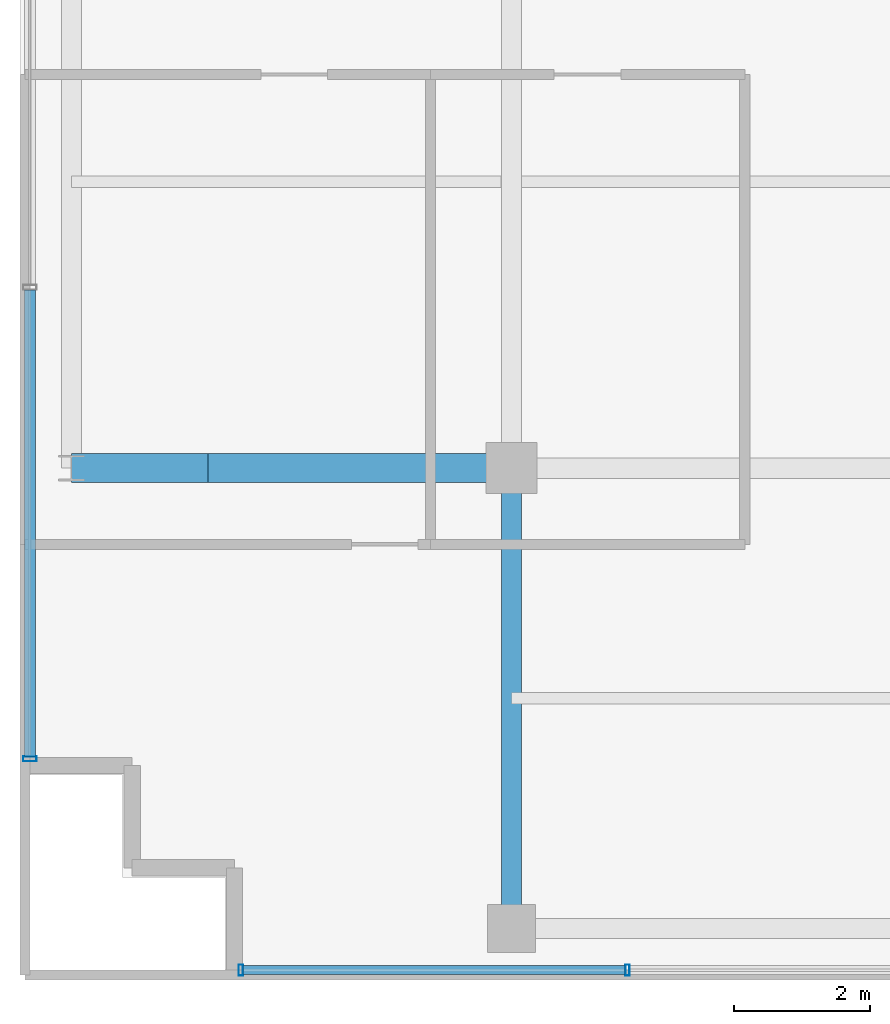
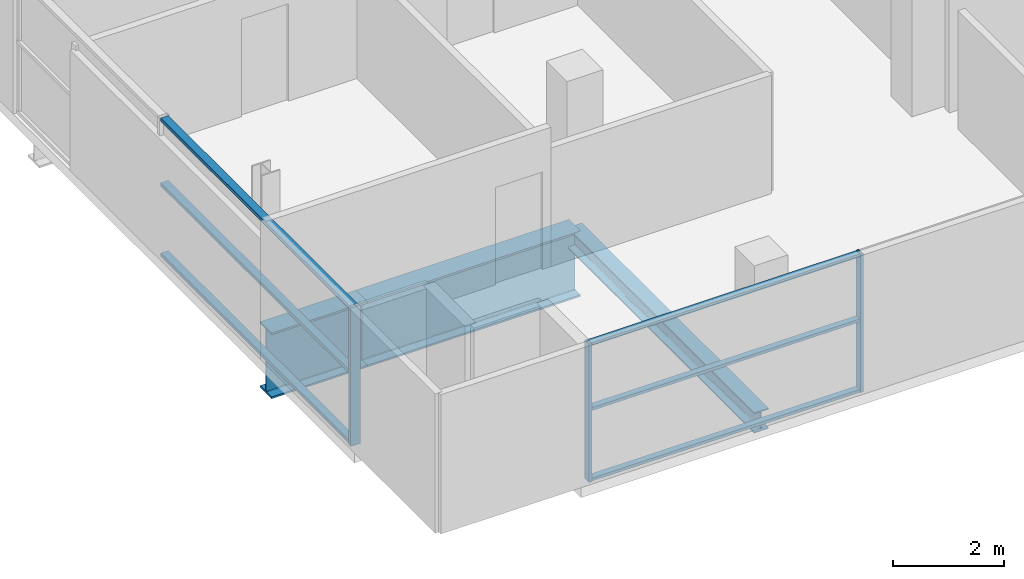
# One storey, part 2 of 29: 9 members, 3 beams, 2 elements without a shape of their own.
"""IFC4 building model written with IfcOpenShell, lengths in metres."""

from ifc_helpers import new_model, si_unit, direction, frame, origin, origin_2d, place, context, subcontext, project, spatial, hollow_rectangle, i_section, extrude, source, transform, mapped, material, layer, layer_set, material_profile, profile_set, type_object, element, aggregate, save


model = new_model("IFC4")

# Units and contexts
model_context = context("Model", 3, precision=1e-05, world=origin(), true_north=direction((0.0, 1.0)))
body_context = subcontext(model_context, "Body", "Model", "MODEL_VIEW")
ifc_project = project(units=[si_unit("LENGTHUNIT", "METRE"), si_unit("AREAUNIT", "SQUARE_METRE"), si_unit("VOLUMEUNIT", "CUBIC_METRE"), si_unit("PLANEANGLEUNIT", "RADIAN"), si_unit("MASSUNIT", "GRAM", prefix="KILO")], contexts=[model_context])

# Site, building, storey
site_placement = place(None, origin())
site = spatial("IfcSite", under=ifc_project, at=site_placement, CompositionType="ELEMENT")
building_placement = place(site_placement, origin())
building = spatial("IfcBuilding", under=site, at=building_placement, Name="Zarnakvel Exchange Tower", CompositionType="ELEMENT")
storey_placement = place(building_placement, frame((0.0, 0.0, 258.39990234375)))
storey = spatial("IfcBuildingStorey", under=building, at=storey_placement, Name="L73", CompositionType="ELEMENT", Elevation=258.39990234375)

# Beams
ifc_material_1 = material(Name="Steel S355", Category="steel")
ifc_material_profile_1 = material_profile(ifc_material_1, i_section(OverallWidth=0.300048828125, OverallDepth=0.449951171875, WebThickness=0.013916015625, FlangeThickness=0.02587890625, FilletRadius=0.027099609375, at=origin_2d()))
ifc_profile_set_1 = profile_set([ifc_material_profile_1], Name="Steel S355")
beam_type_1 = type_object("IfcBeamType", Name="G-07", PredefinedType="BEAM", material=ifc_profile_set_1)
beam_1_placement = place(storey_placement, frame((-14.39990234375, -16.35009765625, -0.449951171875), z_axis=(0.0, 1.0, 0.0), x_axis=(-1.0, 0.0, 0.0)))
element("IfcBeam", 1, at=beam_1_placement, inside=storey, type_object=beam_type_1, Name="L73 Tower N-S Frame Beam", PredefinedType="BEAM", context=body_context, shape_type="SweptSolid", body=[
    extrude(i_section(OverallWidth=0.300048828125, OverallDepth=0.449951171875, WebThickness=0.013916015625, FlangeThickness=0.02587890625, FilletRadius=0.027099609375, at=origin_2d()), origin(), (0.0, 0.0, 1.0), 6.75),
])
ifc_material_2 = material(Name="Steel S460", Category="steel")
ifc_material_profile_2 = material_profile(ifc_material_2, i_section(OverallWidth=0.419921875, OverallDepth=1.449951171875, WebThickness=0.02392578125, FlangeThickness=0.0400390625, FilletRadius=0.030029296875, at=origin_2d()))
ifc_profile_set_2 = profile_set([ifc_material_profile_2], Name="Steel S460")
beam_type_2 = type_object("IfcBeamType", Name="TG-01", PredefinedType="BEAM", material=ifc_profile_set_2)
beam_2_placement = place(storey_placement, frame((-20.85009765625, -9.60009765625, -0.949951171875), z_axis=(1.0, 0.0, 0.0), x_axis=(0.0, 1.0, 0.0)))
element("IfcBeam", 2, at=beam_2_placement, inside=storey, type_object=beam_type_2, Name="L73 Block-Shift Cantilever Transfer TW-C", PredefinedType="BEAM", context=body_context, shape_type="SweptSolid", body=[
    extrude(i_section(OverallWidth=0.419921875, OverallDepth=1.449951171875, WebThickness=0.02392578125, FlangeThickness=0.0400390625, FilletRadius=0.030029296875, at=origin_2d()), origin(), (0.0, 0.0, 1.0), 2.0),
])
beam_3_placement = place(storey_placement, frame((-18.85009765625, -9.60009765625, -0.949951171875), z_axis=(1.0, 0.0, 0.0), x_axis=(0.0, 1.0, 0.0)))
element("IfcBeam", 3, at=beam_3_placement, inside=storey, type_object=beam_type_2, Name="L73 Block-Shift Backspan Transfer TW-C", PredefinedType="BEAM", context=body_context, shape_type="SweptSolid", body=[
    extrude(i_section(OverallWidth=0.419921875, OverallDepth=1.449951171875, WebThickness=0.02392578125, FlangeThickness=0.0400390625, FilletRadius=0.030029296875, at=origin_2d()), origin(), (0.0, 0.0, 1.0), 4.4501953125),
])

# Curtain wall, members
ifc_material_3 = material(Name="Architectural Bronze Anodised Aluminium", Category="aluminium")
ifc_layer_1 = layer(ifc_material_3, 0.199951171875)
ifc_layer_set_1 = layer_set([ifc_layer_1], Name="Architectural Bronze Anodised Aluminium")
curtain_wall_type_1 = type_object("IfcCurtainWallType", Name="CW-04", PredefinedType="NOTDEFINED", material=ifc_layer_set_1)
curtain_wall_1_placement = place(storey_placement, origin())
curtain_wall_1 = element("IfcCurtainWall", 4, at=curtain_wall_1_placement, inside=storey, type_object=curtain_wall_type_1, Name="L73 Curtain Wall CW-L73-W1 (CW-04)", PredefinedType="NOTDEFINED")
ifc_material_profile_3 = material_profile(ifc_material_3, hollow_rectangle(XDim=0.199951171875, YDim=0.074951171875, WallThickness=0.0048828125, at=origin_2d()))
ifc_profile_set_3 = profile_set([ifc_material_profile_3], Name="Architectural Bronze Anodised Aluminium")
member_type_1 = type_object("IfcMemberType", Name="CWM-04", PredefinedType="MULLION", material=ifc_profile_set_3)
shared_shape_1 = source(origin(), body_context, "Body", "SweptSolid", [
    extrude(hollow_rectangle(XDim=0.199951171875, YDim=0.074951171875, WallThickness=0.0048828125, at=origin_2d()), origin(), (0.0, 0.0, 1.0), 3.05517578125),
])
member_1_placement = place(storey_placement, frame((-21.4599609375, -13.862548828125, 0.0), z_axis=(0.0, 0.0, 1.0), x_axis=(-1.0, 0.0, 0.0)))
member_1 = element("IfcMember", 5, at=member_1_placement, type_object=member_type_1, Name="CW-04 mullion 1", PredefinedType="MULLION", context=body_context, shape_type="MappedRepresentation", body=[
    mapped(shared_shape_1, transform((0.0, 0.0, 0.0), x_axis=(1.0, 0.0, 0.0), y_axis=(0.0, 1.0, 0.0), z_axis=(0.0, 0.0, 1.0), scale=1.0)),
])
ifc_material_profile_4 = material_profile(ifc_material_3, hollow_rectangle(XDim=0.159912109375, YDim=0.074951171875, WallThickness=0.00390625, at=origin_2d()))
ifc_profile_set_4 = profile_set([ifc_material_profile_4], Name="Architectural Bronze Anodised Aluminium")
member_type_2 = type_object("IfcMemberType", Name="CWT-04", PredefinedType="USERDEFINED", material=ifc_profile_set_4)
shared_shape_2 = source(origin(), body_context, "Body", "SweptSolid", [
    extrude(hollow_rectangle(XDim=0.159912109375, YDim=0.074951171875, WallThickness=0.00390625, at=origin_2d()), origin(), (0.0, 0.0, 1.0), 6.83740234375),
])
member_2_placement = place(storey_placement, frame((-21.4599609375, -13.824951171875, 0.03759765625), z_axis=(0.0, 1.0, 0.0), x_axis=(-1.0, 0.0, 0.0)))
member_2 = element("IfcMember", 6, at=member_2_placement, type_object=member_type_2, Name="CW-04 transom 1.1", ObjectType="TRANSOM", PredefinedType="USERDEFINED", context=body_context, shape_type="MappedRepresentation", body=[
    mapped(shared_shape_2, transform((0.0, 0.0, 0.0), x_axis=(1.0, 0.0, 0.0), y_axis=(0.0, 1.0, 0.0), z_axis=(0.0, 0.0, 1.0), scale=1.0)),
])
member_3_placement = place(storey_placement, frame((-21.4599609375, -13.824951171875, 1.588623046875), z_axis=(0.0, 1.0, 0.0), x_axis=(-1.0, 0.0, 0.0)))
member_3 = element("IfcMember", 7, at=member_3_placement, type_object=member_type_2, Name="CW-04 transom 1.2", ObjectType="TRANSOM", PredefinedType="USERDEFINED", context=body_context, shape_type="MappedRepresentation", body=[
    mapped(shared_shape_2, transform((0.0, 0.0, 0.0), x_axis=(1.0, 0.0, 0.0), y_axis=(0.0, 1.0, 0.0), z_axis=(0.0, 0.0, 1.0), scale=1.0)),
])
member_4_placement = place(storey_placement, frame((-21.4599609375, -13.824951171875, 3.017578125), z_axis=(0.0, 1.0, 0.0), x_axis=(-1.0, 0.0, 0.0)))
member_4 = element("IfcMember", 8, at=member_4_placement, type_object=member_type_2, Name="CW-04 transom 1.3", ObjectType="TRANSOM", PredefinedType="USERDEFINED", context=body_context, shape_type="MappedRepresentation", body=[
    mapped(shared_shape_2, transform((0.0, 0.0, 0.0), x_axis=(1.0, 0.0, 0.0), y_axis=(0.0, 1.0, 0.0), z_axis=(0.0, 0.0, 1.0), scale=1.0)),
])
aggregate(curtain_wall_1, [member_1, member_2, member_3, member_4])

ifc_layer_2 = layer(ifc_material_3, 0.159912109375)
ifc_layer_set_2 = layer_set([ifc_layer_2], Name="Architectural Bronze Anodised Aluminium")
curtain_wall_type_2 = type_object("IfcCurtainWallType", Name="CW-06", PredefinedType="NOTDEFINED", material=ifc_layer_set_2)
curtain_wall_2_placement = place(storey_placement, origin())
curtain_wall_2 = element("IfcCurtainWall", 9, at=curtain_wall_2_placement, inside=storey, type_object=curtain_wall_type_2, Name="L73 Curtain Wall CW-L73-NSW (CW-06)", PredefinedType="NOTDEFINED")
ifc_material_profile_5 = material_profile(ifc_material_3, hollow_rectangle(XDim=0.159912109375, YDim=0.06494140625, WallThickness=0.00390625, at=origin_2d()))
ifc_profile_set_5 = profile_set([ifc_material_profile_5], Name="Architectural Bronze Anodised Aluminium")
member_type_3 = type_object("IfcMemberType", Name="CWM-06", PredefinedType="MULLION", material=ifc_profile_set_5)
shared_shape_3 = source(origin(), body_context, "Body", "SweptSolid", [
    extrude(hollow_rectangle(XDim=0.159912109375, YDim=0.06494140625, WallThickness=0.00390625, at=origin_2d()), origin(), (0.0, 0.0, 1.0), 3.05517578125),
])
member_5_placement = place(storey_placement, frame((-18.367431640625, -16.9599609375, 0.0), z_axis=(0.0, 0.0, 1.0), x_axis=(0.0, 1.0, 0.0)))
member_5 = element("IfcMember", 10, at=member_5_placement, type_object=member_type_3, Name="CW-06 mullion 1", PredefinedType="MULLION", context=body_context, shape_type="MappedRepresentation", body=[
    mapped(shared_shape_3, transform((0.0, 0.0, 0.0), x_axis=(1.0, 0.0, 0.0), y_axis=(0.0, 1.0, 0.0), z_axis=(0.0, 0.0, 1.0), scale=1.0)),
])
member_6_placement = place(storey_placement, frame((-12.699951171875, -16.9599609375, 0.0), z_axis=(0.0, 0.0, 1.0), x_axis=(0.0, 1.0, 0.0)))
member_6 = element("IfcMember", 11, at=member_6_placement, type_object=member_type_3, Name="CW-06 mullion 2", PredefinedType="MULLION", context=body_context, shape_type="MappedRepresentation", body=[
    mapped(shared_shape_3, transform((0.0, 0.0, 0.0), x_axis=(1.0, 0.0, 0.0), y_axis=(0.0, 1.0, 0.0), z_axis=(0.0, 0.0, 1.0), scale=1.0)),
])
ifc_material_profile_6 = material_profile(ifc_material_3, hollow_rectangle(XDim=0.1298828125, YDim=0.06494140625, WallThickness=0.00390625, at=origin_2d()))
ifc_profile_set_6 = profile_set([ifc_material_profile_6], Name="Architectural Bronze Anodised Aluminium")
member_type_4 = type_object("IfcMemberType", Name="CWT-06", PredefinedType="USERDEFINED", material=ifc_profile_set_6)
shared_shape_4 = source(origin(), body_context, "Body", "SweptSolid", [
    extrude(hollow_rectangle(XDim=0.1298828125, YDim=0.06494140625, WallThickness=0.00390625, at=origin_2d()), origin(), (0.0, 0.0, 1.0), 5.6025390625),
])
member_7_placement = place(storey_placement, frame((-18.3349609375, -16.9599609375, 0.03271484375), z_axis=(1.0, 0.0, 0.0), x_axis=(0.0, 1.0, 0.0)))
member_7 = element("IfcMember", 12, at=member_7_placement, type_object=member_type_4, Name="CW-06 transom 1.1", ObjectType="TRANSOM", PredefinedType="USERDEFINED", context=body_context, shape_type="MappedRepresentation", body=[
    mapped(shared_shape_4, transform((0.0, 0.0, 0.0), x_axis=(1.0, 0.0, 0.0), y_axis=(0.0, 1.0, 0.0), z_axis=(0.0, 0.0, 1.0), scale=1.0)),
])
member_8_placement = place(storey_placement, frame((-18.3349609375, -16.9599609375, 1.588623046875), z_axis=(1.0, 0.0, 0.0), x_axis=(0.0, 1.0, 0.0)))
member_8 = element("IfcMember", 13, at=member_8_placement, type_object=member_type_4, Name="CW-06 transom 1.2", ObjectType="TRANSOM", PredefinedType="USERDEFINED", context=body_context, shape_type="MappedRepresentation", body=[
    mapped(shared_shape_4, transform((0.0, 0.0, 0.0), x_axis=(1.0, 0.0, 0.0), y_axis=(0.0, 1.0, 0.0), z_axis=(0.0, 0.0, 1.0), scale=1.0)),
])
member_9_placement = place(storey_placement, frame((-18.3349609375, -16.9599609375, 3.022705078125), z_axis=(1.0, 0.0, 0.0), x_axis=(0.0, 1.0, 0.0)))
member_9 = element("IfcMember", 14, at=member_9_placement, type_object=member_type_4, Name="CW-06 transom 1.3", ObjectType="TRANSOM", PredefinedType="USERDEFINED", context=body_context, shape_type="MappedRepresentation", body=[
    mapped(shared_shape_4, transform((0.0, 0.0, 0.0), x_axis=(1.0, 0.0, 0.0), y_axis=(0.0, 1.0, 0.0), z_axis=(0.0, 0.0, 1.0), scale=1.0)),
])
aggregate(curtain_wall_2, [member_5, member_6, member_7, member_8, member_9])

save(model, "model.ifc")
